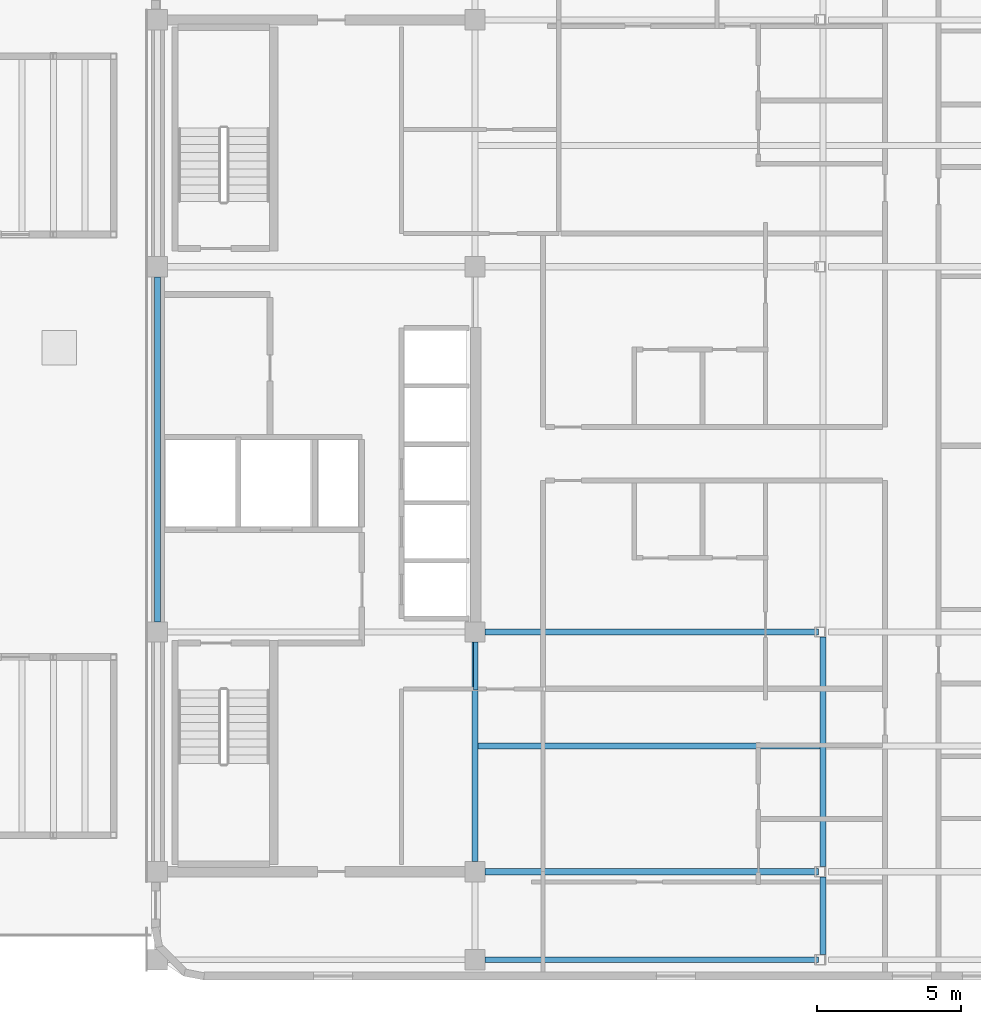
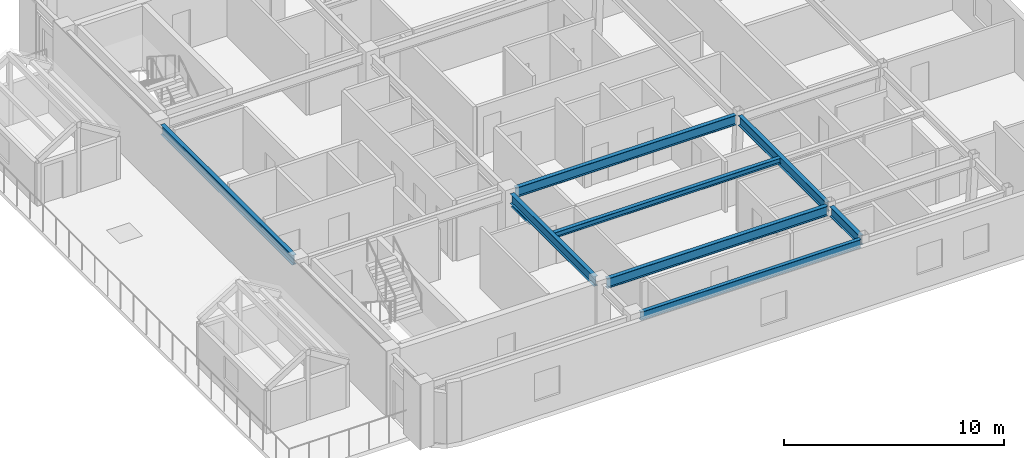
# One storey, part 3 of 13: 9 beams.
"""IFC4 building model written with IfcOpenShell, lengths in metres."""

from ifc_helpers import new_model, si_unit, direction, frame, origin, origin_2d, place, context, subcontext, project, spatial, i_section, extrude, material, material_profile, profile_set, type_object, element, save


model = new_model("IFC4")

# Units and contexts
model_context = context("Model", 3, precision=1e-05, world=origin(), true_north=direction((0.0, 1.0)))
body_context = subcontext(model_context, "Body", "Model", "MODEL_VIEW")
ifc_project = project(units=[si_unit("LENGTHUNIT", "METRE"), si_unit("AREAUNIT", "SQUARE_METRE"), si_unit("VOLUMEUNIT", "CUBIC_METRE"), si_unit("PLANEANGLEUNIT", "RADIAN"), si_unit("MASSUNIT", "GRAM", prefix="KILO")], contexts=[model_context])

# Site, building, storey
site_placement = place(None, origin())
site = spatial("IfcSite", under=ifc_project, at=site_placement, CompositionType="ELEMENT")
building_placement = place(site_placement, origin())
building = spatial("IfcBuilding", under=site, at=building_placement, Name="Ochreholt Gables", CompositionType="ELEMENT")
storey_placement = place(building_placement, frame((0.0, 0.0, 205.800048828125)))
storey = spatial("IfcBuildingStorey", under=building, at=storey_placement, Name="L53", CompositionType="ELEMENT", Elevation=205.800048828125)

# Beams
ifc_material = material(Name="Steel CSA G40.21 350W", Category="steel")
ifc_material_profile_1 = material_profile(ifc_material, i_section(OverallWidth=0.2109375, OverallDepth=0.5390625, WebThickness=0.01171875, FlangeThickness=0.018798828125, at=origin_2d()), Name="W530X109")
ifc_profile_set_1 = profile_set([ifc_material_profile_1], Name="Steel CSA G40.21 350W")
beam_type_1 = type_object("IfcBeamType", Name="BM-G-W530A", PredefinedType="BEAM", material=ifc_profile_set_1)
for number, where, z_axis, x_axis, name in (
    (1, (35.549560546875, 9.25, 3.09033203125), (1.0, 0.0, 0.0), (0.0, 1.0, 0.0), "L53 Beam TBG-L53-C2EM-Y2"),
    (2, (35.549560546875, 17.550048828125, 3.09033203125), (1.0, 0.0, 0.0), (0.0, 1.0, 0.0), "L53 Beam TBG-L53-C2EM-Y3"),
):
    element("IfcBeam", number, at=place(storey_placement, frame(where, z_axis=z_axis, x_axis=x_axis)), inside=storey, type_object=beam_type_1, Name=name, PredefinedType="BEAM", context=body_context, shape_type="SweptSolid", body=[
        extrude(i_section(OverallWidth=0.2109375, OverallDepth=0.5390625, WebThickness=0.01171875, FlangeThickness=0.018798828125, at=origin_2d()), origin(), (0.0, 0.0, 1.0), 11.537841796875),
    ])
beam_1_placement = place(storey_placement, frame((24.199951171875, 17.899658203125, 3.09033203125), z_axis=(0.0, 1.0, 0.0), x_axis=(-1.0, 0.0, 0.0)))
element("IfcBeam", 3, at=beam_1_placement, inside=storey, type_object=beam_type_1, Name="L53 Beam TBN-L53-C1-Y3Y4", PredefinedType="BEAM", context=body_context, shape_type="SweptSolid", body=[
    extrude(i_section(OverallWidth=0.2109375, OverallDepth=0.5390625, WebThickness=0.01171875, FlangeThickness=0.018798828125, at=origin_2d()), origin(), (0.0, 0.0, 1.0), 11.95068359375),
])
beam_2_placement = place(storey_placement, frame((35.199951171875, 9.599609375, 3.09033203125), z_axis=(0.0, 1.0, 0.0), x_axis=(-1.0, 0.0, 0.0)))
element("IfcBeam", 4, at=beam_2_placement, inside=storey, type_object=beam_type_1, Name="L53 Beam TBN-L53-C2-Y2Y3", PredefinedType="BEAM", context=body_context, shape_type="SweptSolid", body=[
    extrude(i_section(OverallWidth=0.2109375, OverallDepth=0.5390625, WebThickness=0.01171875, FlangeThickness=0.018798828125, at=origin_2d()), origin(), (0.0, 0.0, 1.0), 7.600830078125),
])
beam_3_placement = place(storey_placement, frame((47.247802734375, 6.377685546875, 3.09033203125), z_axis=(0.0, 1.0, 0.0), x_axis=(-1.0, 0.0, 0.0)))
element("IfcBeam", 5, at=beam_3_placement, inside=storey, type_object=beam_type_1, Name="L53 Beam TBN-L53-EM-Y1Y2", PredefinedType="BEAM", context=body_context, shape_type="SweptSolid", body=[
    extrude(i_section(OverallWidth=0.2109375, OverallDepth=0.5390625, WebThickness=0.01171875, FlangeThickness=0.018798828125, at=origin_2d()), origin(), (0.0, 0.0, 1.0), 2.69482421875),
])
beam_4_placement = place(storey_placement, frame((47.247802734375, 9.427490234375, 3.09033203125), z_axis=(0.0, 1.0, 0.0), x_axis=(-1.0, 0.0, 0.0)))
element("IfcBeam", 6, at=beam_4_placement, inside=storey, type_object=beam_type_1, Name="L53 Beam TBN-L53-EM-Y2Y3", PredefinedType="BEAM", context=body_context, shape_type="SweptSolid", body=[
    extrude(i_section(OverallWidth=0.2109375, OverallDepth=0.5390625, WebThickness=0.01171875, FlangeThickness=0.018798828125, at=origin_2d()), origin(), (0.0, 0.0, 1.0), 7.94482421875),
])
ifc_material_profile_2 = material_profile(ifc_material, i_section(OverallWidth=0.202880859375, OverallDepth=0.302978515625, WebThickness=0.007568359375, FlangeThickness=0.01318359375, at=origin_2d()), Name="W310X60")
ifc_profile_set_2 = profile_set([ifc_material_profile_2], Name="Steel CSA G40.21 350W")
beam_type_2 = type_object("IfcBeamType", Name="BM-J-W310", PredefinedType="JOIST", material=ifc_profile_set_2)
beam_5_placement = place(storey_placement, frame((35.30517578125, 13.60009765625, 3.20849609375), z_axis=(1.0, 0.0, 0.0), x_axis=(0.0, 1.0, 0.0)))
element("IfcBeam", 7, at=beam_5_placement, inside=storey, type_object=beam_type_2, Name="L53 Beam TBJ-L53-J1-C2EM", PredefinedType="JOIST", context=body_context, shape_type="SweptSolid", body=[
    extrude(i_section(OverallWidth=0.202880859375, OverallDepth=0.302978515625, WebThickness=0.007568359375, FlangeThickness=0.01318359375, at=origin_2d()), origin(), (0.0, 0.0, 1.0), 11.83740234375),
])
ifc_material_profile_3 = material_profile(ifc_material, i_section(OverallWidth=0.1650390625, OverallDepth=0.200927734375, WebThickness=0.006103515625, FlangeThickness=0.01025390625, at=origin_2d()), Name="W200X36")
ifc_profile_set_3 = profile_set([ifc_material_profile_3], Name="Steel CSA G40.21 350W")
beam_type_3 = type_object("IfcBeamType", Name="BM-LIN-W200", PredefinedType="LINTEL", material=ifc_profile_set_3)
beam_6_placement = place(storey_placement, frame((35.22509765625, 15.550048828125, 2.720458984375), z_axis=(0.0, 1.0, 0.0), x_axis=(-1.0, 0.0, 0.0)))
element("IfcBeam", 8, at=beam_6_placement, inside=storey, type_object=beam_type_3, Name="L53 Core Coupling Lintel CPS", PredefinedType="LINTEL", context=body_context, shape_type="SweptSolid", body=[
    extrude(i_section(OverallWidth=0.1650390625, OverallDepth=0.200927734375, WebThickness=0.006103515625, FlangeThickness=0.01025390625, at=origin_2d()), origin(), (0.0, 0.0, 1.0), 1.64990234375),
])
ifc_material_profile_4 = material_profile(ifc_material, i_section(OverallWidth=0.19189453125, OverallDepth=0.462890625, WebThickness=0.010498046875, FlangeThickness=0.017578125, at=origin_2d()), Name="W460X89")
ifc_profile_set_4 = profile_set([ifc_material_profile_4], Name="Steel CSA G40.21 350W")
beam_type_4 = type_object("IfcBeamType", Name="BM-SP-W460A", PredefinedType="SPANDREL", material=ifc_profile_set_4)
beam_7_placement = place(storey_placement, frame((35.549560546875, 6.199951171875, 3.12841796875), z_axis=(1.0, 0.0, 0.0), x_axis=(0.0, 1.0, 0.0)))
element("IfcBeam", 9, at=beam_7_placement, inside=storey, type_object=beam_type_4, Name="L53 Beam TBG-L53-C2EM-Y1", PredefinedType="SPANDREL", context=body_context, shape_type="SweptSolid", body=[
    extrude(i_section(OverallWidth=0.19189453125, OverallDepth=0.462890625, WebThickness=0.010498046875, FlangeThickness=0.017578125, at=origin_2d()), origin(), (0.0, 0.0, 1.0), 11.537841796875),
])

save(model, "model.ifc")
